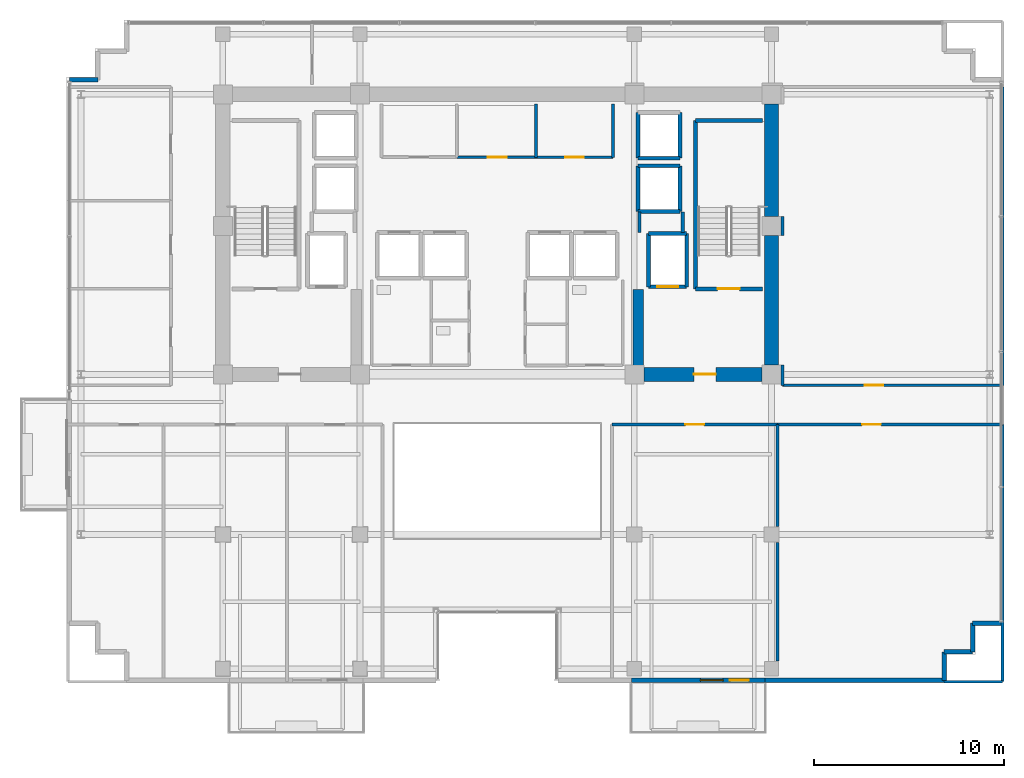
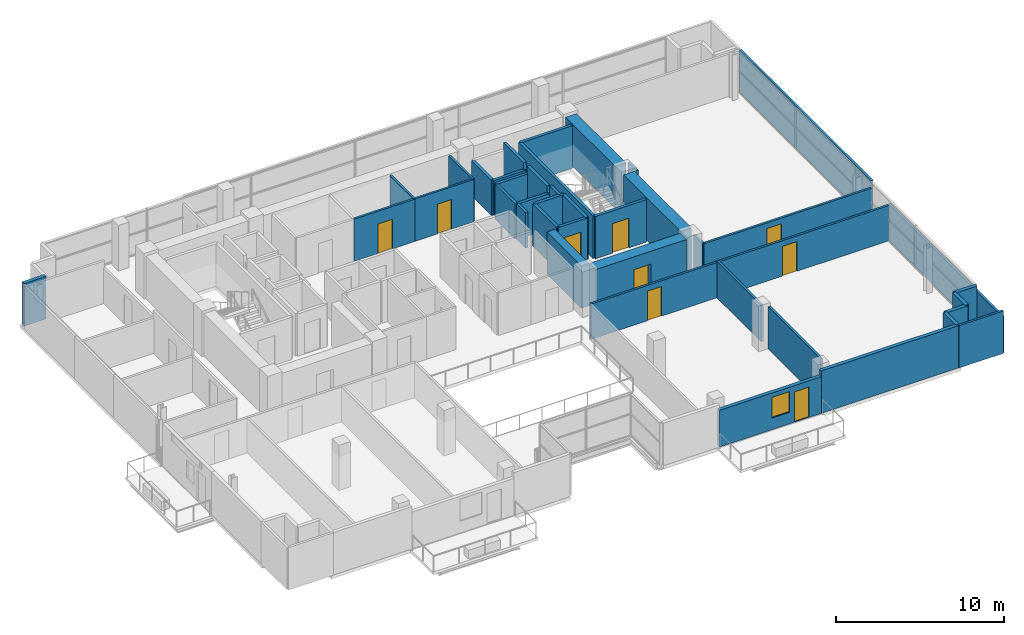
# One storey, part 17 of 22: 41 walls, 9 doors, 1 window, 10 openings.
"""IFC4 building model written with IfcOpenShell, lengths in metres."""

from ifc_helpers import new_model, si_unit, direction, frame, frame_2d, origin, place, context, subcontext, project, spatial, rectangle, extrude, source, transform, mapped, material, layer, layer_set, type_object, element, fill, save


model = new_model("IFC4")

# Units and contexts
model_context = context("Model", 3, precision=1e-05, world=origin(), true_north=direction((0.0, 1.0)))
body_context = subcontext(model_context, "Body", "Model", "MODEL_VIEW")
ifc_project = project(units=[si_unit("LENGTHUNIT", "METRE"), si_unit("AREAUNIT", "SQUARE_METRE"), si_unit("VOLUMEUNIT", "CUBIC_METRE"), si_unit("PLANEANGLEUNIT", "RADIAN"), si_unit("MASSUNIT", "GRAM", prefix="KILO")], contexts=[model_context])

# Site, building, storey
site_placement = place(None, origin())
site = spatial("IfcSite", under=ifc_project, at=site_placement, CompositionType="ELEMENT")
building_placement = place(site_placement, origin())
building = spatial("IfcBuilding", under=site, at=building_placement, Name="Zarnakvel Exchange Tower", CompositionType="ELEMENT")
storey_placement = place(building_placement, frame((0.0, 0.0, 179.199951171875)))
storey = spatial("IfcBuildingStorey", under=building, at=storey_placement, Name="L50", CompositionType="ELEMENT", Elevation=179.199951171875)

# Walls
ifc_material_1 = material(Name="Concrete C60/75", Category="concrete")
ifc_layer_1 = layer(ifc_material_1, 0.75)
ifc_layer_set_1 = layer_set([ifc_layer_1], Name="Concrete C60/75")
wall_type_1 = type_object("IfcWallType", Name="CW-C3", PredefinedType="SHEAR", material=ifc_layer_set_1)
wall_1_placement = place(storey_placement, frame((14.39990234375, -0.699951171875, 0.0), z_axis=(0.0, 0.0, 1.0), x_axis=(0.0, 1.0, 0.0)))
element("IfcWall", 1, at=wall_1_placement, inside=storey, type_object=wall_type_1, Name="L50 Rear Core Shear Wall E1 (CW-C3)", PredefinedType="SHEAR", context=body_context, shape_type="SweptSolid", body=[
    extrude(rectangle(XDim=6.800048828125, YDim=0.75, at=frame_2d((3.39990234375, 0.0))), origin(), (0.0, 0.0, 1.0), 3.074951171875),
])
wall_2_placement = place(storey_placement, frame((14.39990234375, 7.10009765625, 0.0), z_axis=(0.0, 0.0, 1.0), x_axis=(0.0, 1.0, 0.0)))
element("IfcWall", 2, at=wall_2_placement, inside=storey, type_object=wall_type_1, Name="L50 Rear Core Shear Wall E2 (CW-C3)", PredefinedType="SHEAR", context=body_context, shape_type="SweptSolid", body=[
    extrude(rectangle(XDim=5.89990234375, YDim=0.75, at=frame_2d((2.949951171875, 0.0))), origin(), (0.0, 0.0, 1.0), 3.074951171875),
])

# Wall, opening, door
wall_3_placement = place(storey_placement, frame((13.89990234375, -1.199951171875, 0.0), z_axis=(0.0, 0.0, 1.0), x_axis=(-1.0, 0.0, 0.0)))
wall_3 = element("IfcWall", 3, at=wall_3_placement, inside=storey, type_object=wall_type_1, Name="L50 Rear Core Shear Wall SE (CW-C3)", PredefinedType="SHEAR", context=body_context, shape_type="SweptSolid", body=[
    extrude(rectangle(XDim=6.199951171875, YDim=0.75, at=frame_2d((3.10009765625, 0.0))), origin(), (0.0, 0.0, 1.0), 3.074951171875),
])
opening_1_placement = place(wall_3_placement, frame((2.425048828125, 0.0, 0.0)))
opening_1 = element("IfcOpeningElement", 4, at=opening_1_placement, cuts=wall_3, Name="Opening D-L50-04", PredefinedType="OPENING", context=body_context, shape_type="SweptSolid", body=[
    extrude(rectangle(XDim=1.14990234375, YDim=2.14990234375, at=frame_2d((0.574951171875, 1.074951171875))), frame((0.0, 0.385009765625, 0.0), z_axis=(0.0, -1.0, 0.0), x_axis=(1.0, 0.0, 0.0)), (0.0, 0.0, 1.0), 0.77001953125),
])
ifc_material_2 = material(Name="Painted Galvanised Steel S355", Category="steel")
door_type_1 = type_object("IfcDoorType", Name="DT-04", OperationType="NOTDEFINED", PredefinedType="DOOR", material=ifc_material_2)
shared_shape_1 = source(origin(), body_context, "Body", "SweptSolid", [
    extrude(rectangle(XDim=1.14990234375, YDim=2.14990234375, at=frame_2d((0.574951171875, 1.074951171875))), frame((0.0, 0.02490234375, 0.0), z_axis=(0.0, -1.0, 0.0), x_axis=(1.0, 0.0, 0.0)), (0.0, 0.0, 1.0), 0.050048828125),
])
door_1_placement = place(opening_1_placement, origin())
door_1 = element("IfcDoor", 5, at=door_1_placement, inside=storey, type_object=door_type_1, Name="L50 Firefighting Lobby East Door D-L50-04", OperationType="SINGLE_SWING_LEFT", OverallHeight=2.14990234375, OverallWidth=1.14990234375, PredefinedType="DOOR", context=body_context, shape_type="MappedRepresentation", body=[
    mapped(shared_shape_1, transform((0.0, 0.0, 0.0), x_axis=(1.0, 0.0, 0.0), y_axis=(0.0, 1.0, 0.0), z_axis=(0.0, 0.0, 1.0), scale=1.0)),
])
fill(opening_1, door_1)

# Wall
ifc_layer_2 = layer(ifc_material_1, 0.550048828125)
ifc_layer_set_2 = layer_set([ifc_layer_2], Name="Concrete C60/75")
wall_type_2 = type_object("IfcWallType", Name="CW-C4", PredefinedType="SHEAR", material=ifc_layer_set_2)
wall_4_placement = place(storey_placement, frame((7.39990234375, -0.824951171875, 0.0), z_axis=(0.0, 0.0, 1.0), x_axis=(0.0, 1.0, 0.0)))
element("IfcWall", 6, at=wall_4_placement, inside=storey, type_object=wall_type_2, Name="L50 Rear Core Shear Wall IE (CW-C4)", PredefinedType="SHEAR", context=body_context, shape_type="SweptSolid", body=[
    extrude(rectangle(XDim=4.074951171875, YDim=0.550048828125, at=frame_2d((2.03759765625, 0.0))), origin(), (0.0, 0.0, 1.0), 3.074951171875),
])

# Wall, openings, door, window
ifc_material_3 = material(Name="Precast concrete C40/50", Category="concrete")
ifc_layer_3 = layer(ifc_material_3, 0.239990234375)
ifc_layer_set_3 = layer_set([ifc_layer_3], Name="Precast concrete C40/50")
wall_type_3 = type_object("IfcWallType", Name="EW-02", PredefinedType="SOLIDWALL", material=ifc_layer_set_3)
wall_5_placement = place(storey_placement, frame((14.050048828125, -17.260009765625, 0.0), z_axis=(0.0, 0.0, 1.0), x_axis=(-1.0, 0.0, 0.0)))
wall_5 = element("IfcWall", 7, at=wall_5_placement, inside=storey, type_object=wall_type_3, Name="L50 Exterior Precast Spandrel Wall EW-BAL-L50-SE (EW-02)", PredefinedType="SOLIDWALL", context=body_context, shape_type="SweptSolid", body=[
    extrude(rectangle(XDim=7.0, YDim=0.239990234375, at=frame_2d((3.5, 0.0))), origin(), (0.0, 0.0, 1.0), 2.6650390625),
])
opening_2_placement = place(wall_5_placement, frame((0.840087890625, 0.0, 0.0)))
opening_2 = element("IfcOpeningElement", 8, at=opening_2_placement, cuts=wall_5, Name="Opening BD-L50-02", PredefinedType="OPENING", context=body_context, shape_type="SweptSolid", body=[
    extrude(rectangle(XDim=1.0, YDim=2.199951171875, at=frame_2d((0.5, 1.10009765625))), frame((0.0, 0.1298828125, 0.0), z_axis=(0.0, -1.0, 0.0), x_axis=(1.0, 0.0, 0.0)), (0.0, 0.0, 1.0), 0.260009765625),
])
opening_3_placement = place(wall_5_placement, frame((2.18994140625, 0.0, 0.85009765625)))
opening_3 = element("IfcOpeningElement", 9, at=opening_3_placement, cuts=wall_5, Name="Opening WN-04", PredefinedType="OPENING", context=body_context, shape_type="SweptSolid", body=[
    extrude(rectangle(XDim=1.199951171875, YDim=1.5, at=frame_2d((0.60009765625, 0.75))), frame((0.0, 0.1298828125, 0.0), z_axis=(0.0, -1.0, 0.0), x_axis=(1.0, 0.0, 0.0)), (0.0, 0.0, 1.0), 0.260009765625),
])
ifc_material_4 = material(Name="Architectural Bronze Anodised Aluminium", Category="aluminium")
door_type_2 = type_object("IfcDoorType", Name="DT-09", OperationType="NOTDEFINED", PredefinedType="DOOR", material=ifc_material_4)
shared_shape_2 = source(origin(), body_context, "Body", "SweptSolid", [
    extrude(rectangle(XDim=1.0, YDim=2.199951171875, at=frame_2d((0.5, 1.10009765625))), frame((0.0, 0.02490234375, 0.0), z_axis=(0.0, -1.0, 0.0), x_axis=(1.0, 0.0, 0.0)), (0.0, 0.0, 1.0), 0.050048828125),
])
door_2_placement = place(opening_2_placement, origin())
door_2 = element("IfcDoor", 10, at=door_2_placement, inside=storey, type_object=door_type_2, Name="L50 Planted Loggia Balcony Door BD-L50-02", OperationType="SINGLE_SWING_LEFT", OverallHeight=2.199951171875, OverallWidth=1.0, PredefinedType="DOOR", context=body_context, shape_type="MappedRepresentation", body=[
    mapped(shared_shape_2, transform((0.0, 0.0, 0.0), x_axis=(1.0, 0.0, 0.0), y_axis=(0.0, 1.0, 0.0), z_axis=(0.0, 0.0, 1.0), scale=1.0)),
])
fill(opening_2, door_2)
ifc_material_5 = material(Name="Double Low-E Laminated Vision Glass", Category="glass")
window_type = type_object("IfcWindowType", Name="WN-04", PartitioningType="SINGLE_PANEL", PredefinedType="WINDOW", material=ifc_material_5)
shared_shape_3 = source(origin(), body_context, "Body", "SweptSolid", [
    extrude(rectangle(XDim=1.199951171875, YDim=1.5, at=frame_2d((0.60009765625, 0.75))), frame((0.0, 0.030029296875, 0.0), z_axis=(0.0, -1.0, 0.0), x_axis=(1.0, 0.0, 0.0)), (0.0, 0.0, 1.0), 0.06005859375),
])
window_placement = place(opening_3_placement, origin())
window = element("IfcWindow", 11, at=window_placement, inside=storey, type_object=window_type, Name="L50 Loggia Daylight Window (WN-04)", OverallHeight=1.5, OverallWidth=1.199951171875, PartitioningType="SINGLE_PANEL", PredefinedType="WINDOW", context=body_context, shape_type="MappedRepresentation", body=[
    mapped(shared_shape_3, transform((0.0, 0.0, 0.0), x_axis=(1.0, 0.0, 0.0), y_axis=(0.0, 1.0, 0.0), z_axis=(0.0, 0.0, 1.0), scale=1.0)),
])
fill(opening_3, window)

# Walls
for number, where, z_axis, x_axis, name in (
    (12, (-20.9599609375, 14.260009765625, 0.0), (0.0, 0.0, 1.0), (-1.0, 0.0, 0.0), "L50 Exterior Precast Spandrel Wall EWC-L50-03 (EW-02)"),
    (13, (24.9599609375, -14.260009765625, 0.0), (0.0, 0.0, 1.0), (1.0, 0.0, 0.0), "L50 Exterior Precast Spandrel Wall EWC-L50-11 (EW-02)"),
    (14, (24.9599609375, -15.760009765625, 0.0), (0.0, 0.0, 1.0), (0.0, 1.0, 0.0), "L50 Exterior Precast Spandrel Wall EWC-L50-12 (EW-02)"),
    (15, (23.4599609375, -15.760009765625, 0.0), (0.0, 0.0, 1.0), (1.0, 0.0, 0.0), "L50 Exterior Precast Spandrel Wall EWC-L50-13 (EW-02)"),
    (16, (23.4599609375, -17.260009765625, 0.0), (0.0, 0.0, 1.0), (0.0, 1.0, 0.0), "L50 Exterior Precast Spandrel Wall EWC-L50-14 (EW-02)"),
):
    element("IfcWall", number, at=place(storey_placement, frame(where, z_axis=z_axis, x_axis=x_axis)), inside=storey, type_object=wall_type_3, Name=name, PredefinedType="SOLIDWALL", context=body_context, shape_type="SweptSolid", body=[
        extrude(rectangle(XDim=1.5, YDim=0.239990234375, at=frame_2d((0.75, 0.0))), origin(), (0.0, 0.0, 1.0), 3.074951171875),
    ])
wall_6_placement = place(storey_placement, frame((14.050048828125, -17.260009765625, 0.0), z_axis=(0.0, 0.0, 1.0), x_axis=(1.0, 0.0, 0.0)))
element("IfcWall", 17, at=wall_6_placement, inside=storey, type_object=wall_type_3, Name="L50 Exterior Precast Spandrel Wall EWC-L50-15 (EW-02)", PredefinedType="SOLIDWALL", context=body_context, shape_type="SweptSolid", body=[
    extrude(rectangle(XDim=9.409912109375, YDim=0.239990234375, at=frame_2d((4.705078125, 0.0))), origin(), (0.0, 0.0, 1.0), 3.074951171875),
])

# Wall, opening, door
ifc_material_6 = material(Name="Fire-Rated Gypsum Stud Partition", Category="gypsum")
ifc_layer_4 = layer(ifc_material_6, 0.14990234375)
ifc_layer_set_4 = layer_set([ifc_layer_4], Name="Fire-Rated Gypsum Stud Partition")
wall_type_4 = type_object("IfcWallType", Name="PT-01", PredefinedType="PARTITIONING", material=ifc_layer_set_4)
wall_7_placement = place(storey_placement, frame((2.0400390625, 10.199951171875, 0.0), z_axis=(0.0, 0.0, 1.0), x_axis=(-1.0, 0.0, 0.0)))
wall_7 = element("IfcWall", 18, at=wall_7_placement, inside=storey, type_object=wall_type_4, Name="L50 Partition Wall PWALL-L50-014 (PT-01)", PredefinedType="PARTITIONING", context=body_context, shape_type="SweptSolid", body=[
    extrude(rectangle(XDim=4.16015625, YDim=0.14990234375, at=frame_2d((2.080078125, 0.0))), origin(), (0.0, 0.0, 1.0), 3.074951171875),
])
opening_4_placement = place(wall_7_placement, frame((1.550048828125, 0.0, 0.0)))
opening_4 = element("IfcOpeningElement", 19, at=opening_4_placement, cuts=wall_7, Name="Opening D-L50-06", PredefinedType="OPENING", context=body_context, shape_type="SweptSolid", body=[
    extrude(rectangle(XDim=0.97998046875, YDim=2.14990234375, at=frame_2d((0.489990234375, 1.074951171875))), frame((0.0, 0.0849609375, 0.0), z_axis=(0.0, -1.0, 0.0), x_axis=(1.0, 0.0, 0.0)), (0.0, 0.0, 1.0), 0.169921875),
])
ifc_material_7 = material(Name="Timber Acoustic Veneer", Category="wood")
door_type_3 = type_object("IfcDoorType", Name="DT-05", OperationType="NOTDEFINED", PredefinedType="DOOR", material=ifc_material_7)
shared_shape_4 = source(origin(), body_context, "Body", "SweptSolid", [
    extrude(rectangle(XDim=0.97998046875, YDim=2.14990234375, at=frame_2d((0.489990234375, 1.074951171875))), frame((0.0, 0.02490234375, 0.0), z_axis=(0.0, -1.0, 0.0), x_axis=(1.0, 0.0, 0.0)), (0.0, 0.0, 1.0), 0.050048828125),
])
door_3_placement = place(opening_4_placement, origin())
door_3 = element("IfcDoor", 20, at=door_3_placement, inside=storey, type_object=door_type_3, Name="L50 Brokerage Filing Room Door D-L50-06", OperationType="SINGLE_SWING_LEFT", OverallHeight=2.14990234375, OverallWidth=0.97998046875, PredefinedType="DOOR", context=body_context, shape_type="MappedRepresentation", body=[
    mapped(shared_shape_4, transform((0.0, 0.0, 0.0), x_axis=(1.0, 0.0, 0.0), y_axis=(0.0, 1.0, 0.0), z_axis=(0.0, 0.0, 1.0), scale=1.0)),
])
fill(opening_4, door_3)

# Wall
wall_8_placement = place(storey_placement, frame((2.0400390625, 13.0, 0.0), z_axis=(0.0, 0.0, 1.0), x_axis=(0.0, -1.0, 0.0)))
element("IfcWall", 21, at=wall_8_placement, inside=storey, type_object=wall_type_4, Name="L50 Partition Wall PWALL-L50-015 (PT-01)", PredefinedType="PARTITIONING", context=body_context, shape_type="SweptSolid", body=[
    extrude(rectangle(XDim=2.800048828125, YDim=0.14990234375, at=frame_2d((1.39990234375, 0.0))), origin(), (0.0, 0.0, 1.0), 3.074951171875),
])

# Wall, opening, door
wall_9_placement = place(storey_placement, frame((6.02001953125, -3.830078125, 0.0), z_axis=(0.0, 0.0, 1.0), x_axis=(1.0, 0.0, 0.0)))
wall_9 = element("IfcWall", 22, at=wall_9_placement, inside=storey, type_object=wall_type_4, Name="L50 Partition Wall PWALL-L50-044 (PT-01)", PredefinedType="PARTITIONING", context=body_context, shape_type="SweptSolid", body=[
    extrude(rectangle(XDim=8.701904296875, YDim=0.14990234375, at=frame_2d((4.35107421875, 0.0))), origin(), (0.0, 0.0, 1.0), 2.56494140625),
])
opening_5_placement = place(wall_9_placement, frame((3.861083984375, 0.0, 0.0)))
opening_5 = element("IfcOpeningElement", 23, at=opening_5_placement, cuts=wall_9, Name="Opening D-L50-17", PredefinedType="OPENING", context=body_context, shape_type="SweptSolid", body=[
    extrude(rectangle(XDim=0.97998046875, YDim=2.14990234375, at=frame_2d((0.489990234375, 1.074951171875))), frame((0.0, 0.0849609375, 0.0), z_axis=(0.0, -1.0, 0.0), x_axis=(1.0, 0.0, 0.0)), (0.0, 0.0, 1.0), 0.169921875),
])
door_4_placement = place(opening_5_placement, origin())
door_4 = element("IfcDoor", 24, at=door_4_placement, inside=storey, type_object=door_type_3, Name="L50 Seminar Room Door D-L50-17", OperationType="SINGLE_SWING_RIGHT", OverallHeight=2.14990234375, OverallWidth=0.97998046875, PredefinedType="DOOR", context=body_context, shape_type="MappedRepresentation", body=[
    mapped(shared_shape_4, transform((0.0, 0.0, 0.0), x_axis=(1.0, 0.0, 0.0), y_axis=(0.0, 1.0, 0.0), z_axis=(0.0, 0.0, 1.0), scale=1.0)),
])
fill(opening_5, door_4)

# Walls
wall_10_placement = place(storey_placement, frame((14.721923828125, -10.02001953125, 0.0), z_axis=(0.0, 0.0, 1.0), x_axis=(0.0, -1.0, 0.0)))
element("IfcWall", 25, at=wall_10_placement, inside=storey, type_object=wall_type_4, Name="L50 Partition Wall PWALL-L50-046 (PT-01)", PredefinedType="PARTITIONING", context=body_context, shape_type="SweptSolid", body=[
    extrude(rectangle(XDim=6.23486328125, YDim=0.14990234375, at=frame_2d((3.117431640625, 0.0))), origin(), (0.0, 0.0, 1.0), 3.074951171875),
])
wall_11_placement = place(storey_placement, frame((26.530029296875, -17.330078125, 0.0), z_axis=(0.0, 0.0, 1.0), x_axis=(-1.0, 0.0, 0.0)))
element("IfcWall", 26, at=wall_11_placement, inside=storey, type_object=wall_type_4, Name="L50 Partition Wall PWALL-L50-047 (PT-01)", PredefinedType="PARTITIONING", context=body_context, shape_type="SweptSolid", body=[
    extrude(rectangle(XDim=3.070068359375, YDim=0.14990234375, at=frame_2d((1.53515625, 0.0))), origin(), (0.0, 0.0, 1.0), 3.074951171875),
])

# Wall, opening, door
wall_12_placement = place(storey_placement, frame((14.721923828125, -3.830078125, 0.0), z_axis=(0.0, 0.0, 1.0), x_axis=(1.0, 0.0, 0.0)))
wall_12 = element("IfcWall", 27, at=wall_12_placement, inside=storey, type_object=wall_type_4, Name="L50 Partition Wall PWALL-L50-048 (PT-01)", PredefinedType="PARTITIONING", context=body_context, shape_type="SweptSolid", body=[
    extrude(rectangle(XDim=11.80810546875, YDim=0.14990234375, at=frame_2d((5.904052734375, 0.0))), origin(), (0.0, 0.0, 1.0), 2.56494140625),
])
opening_6_placement = place(wall_12_placement, frame((4.439208984375, 0.0, 0.0)))
opening_6 = element("IfcOpeningElement", 28, at=opening_6_placement, cuts=wall_12, Name="Opening D-L50-18", PredefinedType="OPENING", context=body_context, shape_type="SweptSolid", body=[
    extrude(rectangle(XDim=0.97998046875, YDim=2.14990234375, at=frame_2d((0.489990234375, 1.074951171875))), frame((0.0, 0.0849609375, 0.0), z_axis=(0.0, -1.0, 0.0), x_axis=(1.0, 0.0, 0.0)), (0.0, 0.0, 1.0), 0.169921875),
])
door_5_placement = place(opening_6_placement, origin())
door_5 = element("IfcDoor", 29, at=door_5_placement, inside=storey, type_object=door_type_3, Name="L50 Boardroom Door D-L50-18", OperationType="SINGLE_SWING_LEFT", OverallHeight=2.14990234375, OverallWidth=0.97998046875, PredefinedType="DOOR", context=body_context, shape_type="MappedRepresentation", body=[
    mapped(shared_shape_4, transform((0.0, 0.0, 0.0), x_axis=(1.0, 0.0, 0.0), y_axis=(0.0, 1.0, 0.0), z_axis=(0.0, 0.0, 1.0), scale=1.0)),
])
fill(opening_6, door_5)

# Walls
wall_13_placement = place(storey_placement, frame((14.721923828125, -9.179931640625, 0.0), z_axis=(0.0, 0.0, 1.0), x_axis=(0.0, 1.0, 0.0)))
element("IfcWall", 30, at=wall_13_placement, inside=storey, type_object=wall_type_4, Name="L50 Partition Wall PWALL-L50-049 (PT-01)", PredefinedType="PARTITIONING", context=body_context, shape_type="SweptSolid", body=[
    extrude(rectangle(XDim=5.349853515625, YDim=0.14990234375, at=frame_2d((2.6748046875, 0.0))), origin(), (0.0, 0.0, 1.0), 2.6650390625),
])
wall_14_placement = place(storey_placement, frame((26.530029296875, -3.830078125, 0.0), z_axis=(0.0, 0.0, 1.0), x_axis=(0.0, -1.0, 0.0)))
element("IfcWall", 31, at=wall_14_placement, inside=storey, type_object=wall_type_4, Name="L50 Partition Wall PWALL-L50-050 (PT-01)", PredefinedType="PARTITIONING", context=body_context, shape_type="SweptSolid", body=[
    extrude(rectangle(XDim=13.5, YDim=0.14990234375, at=frame_2d((6.75, 0.0))), origin(), (0.0, 0.0, 1.0), 2.6650390625),
])

# Wall, opening, door
wall_15_placement = place(storey_placement, frame((26.530029296875, -1.77001953125, 0.0), z_axis=(0.0, 0.0, 1.0), x_axis=(-1.0, 0.0, 0.0)))
wall_15 = element("IfcWall", 32, at=wall_15_placement, inside=storey, type_object=wall_type_4, Name="L50 Partition Wall PWALL-L50-061 (PT-01)", PredefinedType="PARTITIONING", context=body_context, shape_type="SweptSolid", body=[
    extrude(rectangle(XDim=11.56005859375, YDim=0.14990234375, at=frame_2d((5.780029296875, 0.0))), origin(), (0.0, 0.0, 1.0), 2.56494140625),
])
opening_7_placement = place(wall_15_placement, frame((6.264892578125, 0.0, 0.0)))
opening_7 = element("IfcOpeningElement", 33, at=opening_7_placement, cuts=wall_15, Name="Opening D-L50-22", PredefinedType="OPENING", context=body_context, shape_type="SweptSolid", body=[
    extrude(rectangle(XDim=0.97998046875, YDim=2.14990234375, at=frame_2d((0.489990234375, 1.074951171875))), frame((0.0, 0.0849609375, 0.0), z_axis=(0.0, -1.0, 0.0), x_axis=(1.0, 0.0, 0.0)), (0.0, 0.0, 1.0), 0.169921875),
])
door_6_placement = place(opening_7_placement, origin())
door_6 = element("IfcDoor", 34, at=door_6_placement, inside=storey, type_object=door_type_3, Name="L50 Tea Pantry Door D-L50-22", OperationType="SINGLE_SWING_LEFT", OverallHeight=2.14990234375, OverallWidth=0.97998046875, PredefinedType="DOOR", context=body_context, shape_type="MappedRepresentation", body=[
    mapped(shared_shape_4, transform((0.0, 0.0, 0.0), x_axis=(1.0, 0.0, 0.0), y_axis=(0.0, 1.0, 0.0), z_axis=(0.0, 0.0, 1.0), scale=1.0)),
])
fill(opening_7, door_6)

# Walls
wall_16_placement = place(storey_placement, frame((14.969970703125, -1.77001953125, 0.0), z_axis=(0.0, 0.0, 1.0), x_axis=(0.0, 1.0, 0.0)))
element("IfcWall", 35, at=wall_16_placement, inside=storey, type_object=wall_type_4, Name="L50 Partition Wall PWALL-L50-063 (PT-01)", PredefinedType="PARTITIONING", context=body_context, shape_type="SweptSolid", body=[
    extrude(rectangle(XDim=1.070068359375, YDim=0.14990234375, at=frame_2d((0.53515625, 0.0))), origin(), (0.0, 0.0, 1.0), 2.56494140625),
])
wall_17_placement = place(storey_placement, frame((14.969970703125, 6.10009765625, 0.0), z_axis=(0.0, 0.0, 1.0), x_axis=(0.0, 1.0, 0.0)))
element("IfcWall", 36, at=wall_17_placement, inside=storey, type_object=wall_type_4, Name="L50 Partition Wall PWALL-L50-064 (PT-01)", PredefinedType="PARTITIONING", context=body_context, shape_type="SweptSolid", body=[
    extrude(rectangle(XDim=1.0, YDim=0.14990234375, at=frame_2d((0.5, 0.0))), origin(), (0.0, 0.0, 1.0), 3.074951171875),
])
wall_18_placement = place(storey_placement, frame((26.530029296875, 13.8798828125, 0.0), z_axis=(0.0, 0.0, 1.0), x_axis=(0.0, -1.0, 0.0)))
element("IfcWall", 37, at=wall_18_placement, inside=storey, type_object=wall_type_4, Name="L50 Partition Wall PWALL-L50-066 (PT-01)", PredefinedType="PARTITIONING", context=body_context, shape_type="SweptSolid", body=[
    extrude(rectangle(XDim=15.64990234375, YDim=0.14990234375, at=frame_2d((7.824951171875, 0.0))), origin(), (0.0, 0.0, 1.0), 3.074951171875),
])
ifc_layer_5 = layer(ifc_material_6, 0.179931640625)
ifc_layer_set_5 = layer_set([ifc_layer_5], Name="Fire-Rated Gypsum Stud Partition")
wall_type_5 = type_object("IfcWallType", Name="PT-02", PredefinedType="PARTITIONING", material=ifc_layer_set_5)
wall_19_placement = place(storey_placement, frame((7.469970703125, 6.239990234375, 0.0), z_axis=(0.0, 0.0, 1.0), x_axis=(0.0, 1.0, 0.0)))
element("IfcWall", 38, at=wall_19_placement, inside=storey, type_object=wall_type_5, Name="L50 Partition Wall PWALL-L50-009 (PT-02)", PredefinedType="PARTITIONING", context=body_context, shape_type="SweptSolid", body=[
    extrude(rectangle(XDim=1.090087890625, YDim=0.179931640625, at=frame_2d((0.544921875, 0.0))), origin(), (0.0, 0.0, 1.0), 2.56494140625),
])
wall_20_placement = place(storey_placement, frame((9.72998046875, 7.330078125, 0.0), z_axis=(0.0, 0.0, 1.0), x_axis=(0.0, -1.0, 0.0)))
element("IfcWall", 39, at=wall_20_placement, inside=storey, type_object=wall_type_5, Name="L50 Partition Wall PWALL-L50-010 (PT-02)", PredefinedType="PARTITIONING", context=body_context, shape_type="SweptSolid", body=[
    extrude(rectangle(XDim=1.090087890625, YDim=0.179931640625, at=frame_2d((0.544921875, 0.0))), origin(), (0.0, 0.0, 1.0), 3.074951171875),
])

# Wall, opening, door
ifc_material_8 = material(Name="Moisture-Resistant Tile-Faced Partition", Category="gypsum")
ifc_layer_6 = layer(ifc_material_8, 0.135009765625)
ifc_layer_set_6 = layer_set([ifc_layer_6], Name="Moisture-Resistant Tile-Faced Partition")
wall_type_6 = type_object("IfcWallType", Name="PT-03", PredefinedType="PARTITIONING", material=ifc_layer_set_6)
wall_21_placement = place(storey_placement, frame((6.080078125, 10.199951171875, 0.0), z_axis=(0.0, 0.0, 1.0), x_axis=(-1.0, 0.0, 0.0)))
wall_21 = element("IfcWall", 40, at=wall_21_placement, inside=storey, type_object=wall_type_6, Name="L50 Partition Wall PWALL-L50-016 (PT-03)", PredefinedType="PARTITIONING", context=body_context, shape_type="SweptSolid", body=[
    extrude(rectangle(XDim=4.0400390625, YDim=0.135009765625, at=frame_2d((2.02001953125, 0.0))), origin(), (0.0, 0.0, 1.0), 3.074951171875),
])
opening_8_placement = place(wall_21_placement, frame((1.530029296875, 0.0, 0.0)))
opening_8 = element("IfcOpeningElement", 41, at=opening_8_placement, cuts=wall_21, Name="Opening D-L50-07", PredefinedType="OPENING", context=body_context, shape_type="SweptSolid", body=[
    extrude(rectangle(XDim=0.97998046875, YDim=2.14990234375, at=frame_2d((0.489990234375, 1.074951171875))), frame((0.0, 0.077392578125, 0.0), z_axis=(0.0, -1.0, 0.0), x_axis=(1.0, 0.0, 0.0)), (0.0, 0.0, 1.0), 0.155029296875),
])
door_7_placement = place(opening_8_placement, origin())
door_7 = element("IfcDoor", 42, at=door_7_placement, inside=storey, type_object=door_type_3, Name="L50 Executive Tea Pantry Door D-L50-07", OperationType="SINGLE_SWING_RIGHT", OverallHeight=2.14990234375, OverallWidth=0.97998046875, PredefinedType="DOOR", context=body_context, shape_type="MappedRepresentation", body=[
    mapped(shared_shape_4, transform((0.0, 0.0, 0.0), x_axis=(1.0, 0.0, 0.0), y_axis=(0.0, 1.0, 0.0), z_axis=(0.0, 0.0, 1.0), scale=1.0)),
])
fill(opening_8, door_7)

# Wall
wall_22_placement = place(storey_placement, frame((6.080078125, 13.0, 0.0), z_axis=(0.0, 0.0, 1.0), x_axis=(0.0, -1.0, 0.0)))
element("IfcWall", 43, at=wall_22_placement, inside=storey, type_object=wall_type_6, Name="L50 Partition Wall PWALL-L50-017 (PT-03)", PredefinedType="PARTITIONING", context=body_context, shape_type="SweptSolid", body=[
    extrude(rectangle(XDim=2.800048828125, YDim=0.135009765625, at=frame_2d((1.39990234375, 0.0))), origin(), (0.0, 0.0, 1.0), 3.074951171875),
])

# Wall, opening, door
ifc_material_9 = material(Name="Concrete C40/50", Category="concrete")
ifc_layer_7 = layer(ifc_material_9, 0.199951171875)
ifc_layer_set_7 = layer_set([ifc_layer_7], Name="Concrete C40/50")
wall_type_7 = type_object("IfcWallType", Name="SW-01", PredefinedType="SOLIDWALL", material=ifc_layer_set_7)
wall_23_placement = place(storey_placement, frame((9.949951171875, 3.39990234375, 0.0), z_axis=(0.0, 0.0, 1.0), x_axis=(-1.0, 0.0, 0.0)))
wall_23 = element("IfcWall", 44, at=wall_23_placement, inside=storey, type_object=wall_type_7, Name="L50 FL-02 Hoistway Wall South", PredefinedType="SOLIDWALL", context=body_context, shape_type="SweptSolid", body=[
    extrude(rectangle(XDim=2.0, YDim=0.199951171875, at=frame_2d((1.0, 0.0))), origin(), (0.0, 0.0, 1.0), 3.074951171875),
])
opening_9_placement = place(wall_23_placement, frame((0.449951171875, 0.0, 0.0)))
opening_9 = element("IfcOpeningElement", 45, at=opening_9_placement, cuts=wall_23, Name="Opening LD-FL-02-L50", PredefinedType="OPENING", context=body_context, shape_type="SweptSolid", body=[
    extrude(rectangle(XDim=1.10009765625, YDim=2.199951171875, at=frame_2d((0.550048828125, 1.10009765625))), frame((0.0, 0.10986328125, 0.0), z_axis=(0.0, -1.0, 0.0), x_axis=(1.0, 0.0, 0.0)), (0.0, 0.0, 1.0), 0.219970703125),
])
ifc_material_10 = material(Name="Brushed Stainless Steel", Category="steel")
door_type_4 = type_object("IfcDoorType", Name="LDT-01", OperationType="NOTDEFINED", PredefinedType="DOOR", material=ifc_material_10)
shared_shape_5 = source(origin(), body_context, "Body", "SweptSolid", [
    extrude(rectangle(XDim=1.10009765625, YDim=2.199951171875, at=frame_2d((0.550048828125, 1.10009765625))), frame((0.0, 0.02490234375, 0.0), z_axis=(0.0, -1.0, 0.0), x_axis=(1.0, 0.0, 0.0)), (0.0, 0.0, 1.0), 0.050048828125),
])
door_8_placement = place(opening_9_placement, origin())
door_8 = element("IfcDoor", 46, at=door_8_placement, inside=storey, type_object=door_type_4, Name="L50 FL-02 Lift Landing Door LD-FL-02-L50", OperationType="DOUBLE_DOOR_SLIDING", OverallHeight=2.199951171875, OverallWidth=1.10009765625, PredefinedType="DOOR", context=body_context, shape_type="MappedRepresentation", body=[
    mapped(shared_shape_5, transform((0.0, 0.0, 0.0), x_axis=(1.0, 0.0, 0.0), y_axis=(0.0, 1.0, 0.0), z_axis=(0.0, 0.0, 1.0), scale=1.0)),
])
fill(opening_9, door_8)

# Walls
wall_24_placement = place(storey_placement, frame((7.949951171875, 6.199951171875, 0.0), z_axis=(0.0, 0.0, 1.0), x_axis=(1.0, 0.0, 0.0)))
element("IfcWall", 47, at=wall_24_placement, inside=storey, type_object=wall_type_7, Name="L50 FL-02 Hoistway Wall North", PredefinedType="SOLIDWALL", context=body_context, shape_type="SweptSolid", body=[
    extrude(rectangle(XDim=2.0, YDim=0.199951171875, at=frame_2d((1.0, 0.0))), origin(), (0.0, 0.0, 1.0), 3.074951171875),
])
for number, where, z_axis, x_axis, name in (
    (48, (7.949951171875, 3.39990234375, 0.0), (0.0, 0.0, 1.0), (0.0, 1.0, 0.0), "L50 FL-02 Hoistway Wall West"),
    (49, (9.949951171875, 6.199951171875, 0.0), (0.0, 0.0, 1.0), (0.0, -1.0, 0.0), "L50 FL-02 Hoistway Wall East"),
):
    element("IfcWall", number, at=place(storey_placement, frame(where, z_axis=z_axis, x_axis=x_axis)), inside=storey, type_object=wall_type_7, Name=name, PredefinedType="SOLIDWALL", context=body_context, shape_type="SweptSolid", body=[
        extrude(rectangle(XDim=2.800048828125, YDim=0.199951171875, at=frame_2d((1.39990234375, 0.0))), origin(), (0.0, 0.0, 1.0), 3.074951171875),
    ])
for number, where, z_axis, x_axis, name in (
    (50, (9.60009765625, 7.35009765625, 0.0), (0.0, 0.0, 1.0), (-1.0, 0.0, 0.0), "L50 PL-11 Hoistway Wall South"),
    (51, (7.39990234375, 9.75, 0.0), (0.0, 0.0, 1.0), (1.0, 0.0, 0.0), "L50 PL-11 Hoistway Wall North"),
):
    element("IfcWall", number, at=place(storey_placement, frame(where, z_axis=z_axis, x_axis=x_axis)), inside=storey, type_object=wall_type_7, Name=name, PredefinedType="SOLIDWALL", context=body_context, shape_type="SweptSolid", body=[
        extrude(rectangle(XDim=2.2001953125, YDim=0.199951171875, at=frame_2d((1.10009765625, 0.0))), origin(), (0.0, 0.0, 1.0), 2.56494140625),
    ])
wall_25_placement = place(storey_placement, frame((7.39990234375, 7.35009765625, 0.0), z_axis=(0.0, 0.0, 1.0), x_axis=(0.0, 1.0, 0.0)))
element("IfcWall", 52, at=wall_25_placement, inside=storey, type_object=wall_type_7, Name="L50 PL-11 Hoistway Wall West", PredefinedType="SOLIDWALL", context=body_context, shape_type="SweptSolid", body=[
    extrude(rectangle(XDim=2.39990234375, YDim=0.199951171875, at=frame_2d((1.199951171875, 0.0))), origin(), (0.0, 0.0, 1.0), 2.56494140625),
])
wall_26_placement = place(storey_placement, frame((9.60009765625, 9.75, 0.0), z_axis=(0.0, 0.0, 1.0), x_axis=(0.0, -1.0, 0.0)))
element("IfcWall", 53, at=wall_26_placement, inside=storey, type_object=wall_type_7, Name="L50 PL-11 Hoistway Wall East", PredefinedType="SOLIDWALL", context=body_context, shape_type="SweptSolid", body=[
    extrude(rectangle(XDim=2.39990234375, YDim=0.199951171875, at=frame_2d((1.199951171875, 0.0))), origin(), (0.0, 0.0, 1.0), 3.074951171875),
])
wall_27_placement = place(storey_placement, frame((9.60009765625, 10.14990234375, 0.0), z_axis=(0.0, 0.0, 1.0), x_axis=(-1.0, 0.0, 0.0)))
element("IfcWall", 54, at=wall_27_placement, inside=storey, type_object=wall_type_7, Name="L50 PL-12 Hoistway Wall South", PredefinedType="SOLIDWALL", context=body_context, shape_type="SweptSolid", body=[
    extrude(rectangle(XDim=2.2001953125, YDim=0.199951171875, at=frame_2d((1.10009765625, 0.0))), origin(), (0.0, 0.0, 1.0), 2.56494140625),
])
wall_28_placement = place(storey_placement, frame((7.39990234375, 10.14990234375, 0.0), z_axis=(0.0, 0.0, 1.0), x_axis=(0.0, 1.0, 0.0)))
element("IfcWall", 55, at=wall_28_placement, inside=storey, type_object=wall_type_7, Name="L50 PL-12 Hoistway Wall West", PredefinedType="SOLIDWALL", context=body_context, shape_type="SweptSolid", body=[
    extrude(rectangle(XDim=2.400146484375, YDim=0.199951171875, at=frame_2d((1.2001953125, 0.0))), origin(), (0.0, 0.0, 1.0), 2.56494140625),
])
wall_29_placement = place(storey_placement, frame((9.60009765625, 12.550048828125, 0.0), z_axis=(0.0, 0.0, 1.0), x_axis=(0.0, -1.0, 0.0)))
element("IfcWall", 56, at=wall_29_placement, inside=storey, type_object=wall_type_7, Name="L50 PL-12 Hoistway Wall East", PredefinedType="SOLIDWALL", context=body_context, shape_type="SweptSolid", body=[
    extrude(rectangle(XDim=2.400146484375, YDim=0.199951171875, at=frame_2d((1.2001953125, 0.0))), origin(), (0.0, 0.0, 1.0), 3.074951171875),
])

# Wall, opening, door
ifc_layer_8 = layer(ifc_material_9, 0.199951171875)
ifc_layer_set_8 = layer_set([ifc_layer_8], Name="Concrete C40/50")
wall_type_8 = type_object("IfcWallType", Name="SW-02", PredefinedType="SOLIDWALL", material=ifc_layer_set_8)
wall_30_placement = place(storey_placement, frame((13.929931640625, 3.2900390625, 0.0), z_axis=(0.0, 0.0, 1.0), x_axis=(-1.0, 0.0, 0.0)))
wall_30 = element("IfcWall", 57, at=wall_30_placement, inside=storey, type_object=wall_type_8, Name="L50 Stairwell Core Wall PWALL-L50-004 (SW-02)", PredefinedType="SOLIDWALL", context=body_context, shape_type="SweptSolid", body=[
    extrude(rectangle(XDim=3.52001953125, YDim=0.199951171875, at=frame_2d((1.760009765625, 0.0))), origin(), (0.0, 0.0, 1.0), 3.074951171875),
])
opening_10_placement = place(wall_30_placement, frame((1.205078125, 0.0, 0.0)))
opening_10 = element("IfcOpeningElement", 58, at=opening_10_placement, cuts=wall_30, Name="Opening D-L50-02", PredefinedType="OPENING", context=body_context, shape_type="SweptSolid", body=[
    extrude(rectangle(XDim=1.14990234375, YDim=2.14990234375, at=frame_2d((0.574951171875, 1.074951171875))), frame((0.0, 0.10986328125, 0.0), z_axis=(0.0, -1.0, 0.0), x_axis=(1.0, 0.0, 0.0)), (0.0, 0.0, 1.0), 0.219970703125),
])
door_9_placement = place(opening_10_placement, origin())
door_9 = element("IfcDoor", 59, at=door_9_placement, inside=storey, type_object=door_type_1, Name="L50 Stairwell ST-02 Door D-L50-02", OperationType="SINGLE_SWING_LEFT", OverallHeight=2.14990234375, OverallWidth=1.14990234375, PredefinedType="DOOR", context=body_context, shape_type="MappedRepresentation", body=[
    mapped(shared_shape_1, transform((0.0, 0.0, 0.0), x_axis=(1.0, 0.0, 0.0), y_axis=(0.0, 1.0, 0.0), z_axis=(0.0, 0.0, 1.0), scale=1.0)),
])
fill(opening_10, door_9)

# Walls
wall_31_placement = place(storey_placement, frame((10.409912109375, 12.1298828125, 0.0), z_axis=(0.0, 0.0, 1.0), x_axis=(1.0, 0.0, 0.0)))
element("IfcWall", 60, at=wall_31_placement, inside=storey, type_object=wall_type_8, Name="L50 Stairwell Core Wall PWALL-L50-005 (SW-02)", PredefinedType="SOLIDWALL", context=body_context, shape_type="SweptSolid", body=[
    extrude(rectangle(XDim=3.52001953125, YDim=0.199951171875, at=frame_2d((1.760009765625, 0.0))), origin(), (0.0, 0.0, 1.0), 3.074951171875),
])
wall_32_placement = place(storey_placement, frame((10.409912109375, 3.2900390625, 0.0), z_axis=(0.0, 0.0, 1.0), x_axis=(0.0, 1.0, 0.0)))
element("IfcWall", 61, at=wall_32_placement, inside=storey, type_object=wall_type_8, Name="L50 Stairwell Core Wall PWALL-L50-006 (SW-02)", PredefinedType="SOLIDWALL", context=body_context, shape_type="SweptSolid", body=[
    extrude(rectangle(XDim=8.83984375, YDim=0.199951171875, at=frame_2d((4.419921875, 0.0))), origin(), (0.0, 0.0, 1.0), 3.074951171875),
])

save(model, "model.ifc")
